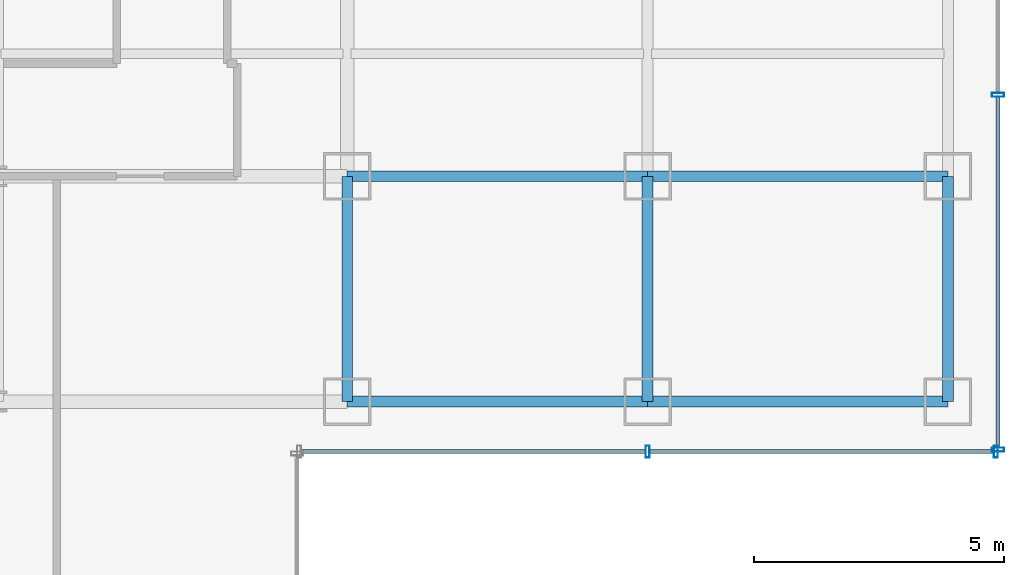
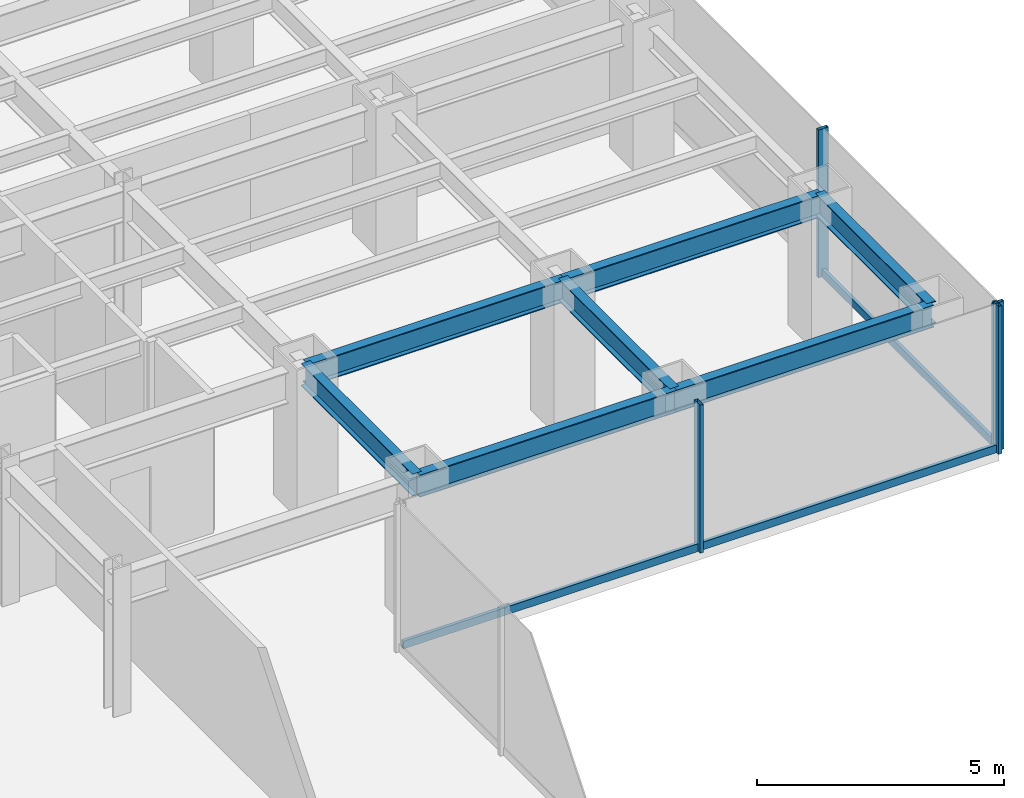
# One storey, part 7 of 22: 7 beams, 7 members, 2 elements without a shape of their own.
"""IFC4 building model written with IfcOpenShell, lengths in metres."""

from ifc_helpers import new_model, si_unit, derived_unit, direction, frame, origin, origin_2d, place, context, subcontext, project, spatial, hollow_rectangle, i_section, extrude, source, transform, mapped, material, material_profile, profile_set, type_object, element, aggregate, save


model = new_model("IFC4")

# Units and contexts
model_context = context("Model", 3, precision=1e-05, world=origin(), true_north=direction((0.0, 1.0)))
body_context = subcontext(model_context, "Body", "Model", "MODEL_VIEW")
ifc_project = project(units=[si_unit("LENGTHUNIT", "METRE"), si_unit("AREAUNIT", "SQUARE_METRE"), si_unit("VOLUMEUNIT", "CUBIC_METRE"), si_unit("PLANEANGLEUNIT", "RADIAN"), si_unit("MASSUNIT", "GRAM", prefix="KILO"), derived_unit("THERMALTRANSMITTANCEUNIT", [(si_unit("POWERUNIT", "WATT"), 1), (si_unit("LENGTHUNIT", "METRE"), -2), (si_unit("THERMODYNAMICTEMPERATUREUNIT", "KELVIN"), -1)])], contexts=[model_context])

# Site, building, storey
site_placement = place(None, origin())
site = spatial("IfcSite", under=ifc_project, at=site_placement, CompositionType="ELEMENT")
building_placement = place(site_placement, origin())
building = spatial("IfcBuilding", under=site, at=building_placement, Name="Skarnbrae Concourse Arena and Tower", CompositionType="ELEMENT")
storey_placement = place(building_placement, frame((0.0, 0.0, 58.050048828125)))
storey = spatial("IfcBuildingStorey", under=building, at=storey_placement, Name="L13", CompositionType="ELEMENT", Elevation=58.050048828125)

# Beams
ifc_material_1 = material(Name="Steel CSA G40.21 350W", Category="steel")
ifc_material_profile_1 = material_profile(ifc_material_1, i_section(OverallWidth=0.214111328125, OverallDepth=0.549072265625, WebThickness=0.0146484375, FlangeThickness=0.023681640625, at=origin_2d()), Name="W530X138")
ifc_profile_set_1 = profile_set([ifc_material_profile_1], Name="Steel CSA G40.21 350W")
beam_type = type_object("IfcBeamType", Name="BM-SPAN-W530X138", PredefinedType="SPANDREL", material=ifc_profile_set_1)
shared_shape_1 = source(origin(), body_context, "Body", "SweptSolid", [
    extrude(i_section(OverallWidth=0.214111328125, OverallDepth=0.549072265625, WebThickness=0.0146484375, FlangeThickness=0.023681640625, at=origin_2d()), origin(), (0.0, 0.0, 1.0), 6.0),
])
for number, where, z_axis, x_axis, name in (
    (1, (49.0, 9.5, 3.12548828125), (1.0, 0.0, 0.0), (0.0, 1.0, 0.0), "L13 Perimeter spandrel Y9.5-3"),
    (2, (55.0, 9.5, 3.12548828125), (1.0, 0.0, 0.0), (0.0, 1.0, 0.0), "L13 Perimeter spandrel Y9.5-4"),
    (3, (49.0, 14.0, 3.12548828125), (1.0, 0.0, 0.0), (0.0, 1.0, 0.0), "L13 Perimeter spandrel Y14.0-8"),
    (4, (55.0, 14.0, 3.12548828125), (1.0, 0.0, 0.0), (0.0, 1.0, 0.0), "L13 Perimeter spandrel Y14.0-9"),
):
    element("IfcBeam", number, at=place(storey_placement, frame(where, z_axis=z_axis, x_axis=x_axis)), inside=storey, type_object=beam_type, Name=name, PredefinedType="SPANDREL", context=body_context, shape_type="MappedRepresentation", body=[
        mapped(shared_shape_1, transform((0.0, 0.0, 0.0))),
    ])
shared_shape_2 = source(origin(), body_context, "Body", "SweptSolid", [
    extrude(i_section(OverallWidth=0.214111328125, OverallDepth=0.549072265625, WebThickness=0.0146484375, FlangeThickness=0.023681640625, at=origin_2d()), origin(), (0.0, 0.0, 1.0), 4.5),
])
for number, where, z_axis, x_axis, name in (
    (5, (49.0, 9.5, 3.12548828125), (0.0, 1.0, 0.0), (-1.0, 0.0, 0.0), "L13 Perimeter spandrel X49.0-1"),
    (6, (55.0, 9.5, 3.12548828125), (0.0, 1.0, 0.0), (-1.0, 0.0, 0.0), "L13 Perimeter spandrel X55.0-1"),
    (7, (61.0, 9.5, 3.12548828125), (0.0, 1.0, 0.0), (-1.0, 0.0, 0.0), "L13 Perimeter spandrel X61.0-1"),
):
    element("IfcBeam", number, at=place(storey_placement, frame(where, z_axis=z_axis, x_axis=x_axis)), inside=storey, type_object=beam_type, Name=name, PredefinedType="SPANDREL", context=body_context, shape_type="MappedRepresentation", body=[
        mapped(shared_shape_2, transform((0.0, 0.0, 0.0))),
    ])

# Curtain wall, members
ifc_material_2 = material(Name="Bronze anodised aluminium 6063-T6", Category="aluminium")
curtain_wall_type = type_object("IfcCurtainWallType", Name="CW-SYS-02-LOWZONE", PredefinedType="USERDEFINED", material=ifc_material_2)
curtain_wall_1_placement = place(storey_placement, origin())
curtain_wall_1 = element("IfcCurtainWall", 8, at=curtain_wall_1_placement, inside=storey, type_object=curtain_wall_type, Name="L13 Unitised curtain wall CW-L13-E03", ObjectType="UNITISED CURTAIN WALL", PredefinedType="USERDEFINED")
ifc_material_profile_2 = material_profile(ifc_material_2, hollow_rectangle(XDim=0.080078125, YDim=0.239990234375, WallThickness=0.0048828125, at=origin_2d()), Name="ALU-MULL-80X240")
ifc_profile_set_2 = profile_set([ifc_material_profile_2], Name="Bronze anodised aluminium 6063-T6")
member_type_1 = type_object("IfcMemberType", Name="CWM-CW-02", PredefinedType="MULLION", material=ifc_profile_set_2)
shared_shape_3 = source(origin(), body_context, "Body", "SweptSolid", [
    extrude(hollow_rectangle(XDim=0.080078125, YDim=0.239990234375, WallThickness=0.0048828125, at=origin_2d()), origin(), (0.0, 0.0, 1.0), 3.64990234375),
])
member_1_placement = place(storey_placement, frame((55.0, 8.5, 0.0), z_axis=(0.0, 0.0, 1.0), x_axis=(1.0, 0.0, 0.0)))
member_1 = element("IfcMember", 9, at=member_1_placement, type_object=member_type_1, Name="CW-L13-E03 Mullion 2", PredefinedType="MULLION", context=body_context, shape_type="MappedRepresentation", body=[
    mapped(shared_shape_3, transform((0.0, 0.0, 0.0))),
])
member_2_placement = place(storey_placement, frame((61.9599609375, 8.5, 0.0), z_axis=(0.0, 0.0, 1.0), x_axis=(1.0, 0.0, 0.0)))
member_2 = element("IfcMember", 10, at=member_2_placement, type_object=member_type_1, Name="CW-L13-E03 Mullion 3", PredefinedType="MULLION", context=body_context, shape_type="MappedRepresentation", body=[
    mapped(shared_shape_3, transform((0.0, 0.0, 0.0))),
])

curtain_wall_2_placement = place(storey_placement, origin())
curtain_wall_2 = element("IfcCurtainWall", 11, at=curtain_wall_2_placement, inside=storey, type_object=curtain_wall_type, Name="L13 Unitised curtain wall CW-L13-E04", ObjectType="UNITISED CURTAIN WALL", PredefinedType="USERDEFINED")
member_3_placement = place(storey_placement, frame((62.0, 8.5400390625, 0.0), z_axis=(0.0, 0.0, 1.0), x_axis=(0.0, 1.0, 0.0)))
member_3 = element("IfcMember", 12, at=member_3_placement, type_object=member_type_1, Name="CW-L13-E04 Mullion 1", PredefinedType="MULLION", context=body_context, shape_type="MappedRepresentation", body=[
    mapped(shared_shape_3, transform((0.0, 0.0, 0.0))),
])
member_4_placement = place(storey_placement, frame((62.0, 15.625, 0.0), z_axis=(0.0, 0.0, 1.0), x_axis=(0.0, 1.0, 0.0)))
member_4 = element("IfcMember", 13, at=member_4_placement, type_object=member_type_1, Name="CW-L13-E04 Mullion 2", PredefinedType="MULLION", context=body_context, shape_type="MappedRepresentation", body=[
    mapped(shared_shape_3, transform((0.0, 0.0, 0.0))),
])

# Member
ifc_material_profile_3 = material_profile(ifc_material_2, hollow_rectangle(XDim=0.080078125, YDim=0.18994140625, WallThickness=0.0048828125, at=origin_2d()), Name="ALU-TRAN-80X190")
ifc_profile_set_3 = profile_set([ifc_material_profile_3], Name="Bronze anodised aluminium 6063-T6")
member_type_2 = type_object("IfcMemberType", Name="CWT-CW-02", PredefinedType="USERDEFINED", material=ifc_profile_set_3)
shared_shape_4 = source(origin(), body_context, "Body", "SweptSolid", [
    extrude(hollow_rectangle(XDim=0.080078125, YDim=0.18994140625, WallThickness=0.0048828125, at=origin_2d()), origin(), (0.0, 0.0, 1.0), 6.8798828125),
])
member_5_placement = place(storey_placement, frame((48.080078125, 8.5, 0.094970703125), z_axis=(1.0, 0.0, 0.0), x_axis=(0.0, 1.0, 0.0)))
member_5 = element("IfcMember", 14, at=member_5_placement, type_object=member_type_2, Name="CW-L13-E03 Transom 1", ObjectType="TRANSOM", PredefinedType="USERDEFINED", context=body_context, shape_type="MappedRepresentation", body=[
    mapped(shared_shape_4, transform((0.0, 0.0, 0.0))),
])

member_6_placement = place(storey_placement, frame((55.0400390625, 8.5, 0.094970703125), z_axis=(1.0, 0.0, 0.0), x_axis=(0.0, 1.0, 0.0)))
member_6 = element("IfcMember", 15, at=member_6_placement, type_object=member_type_2, Name="CW-L13-E03 Transom 2", ObjectType="TRANSOM", PredefinedType="USERDEFINED", context=body_context, shape_type="MappedRepresentation", body=[
    mapped(shared_shape_4, transform((0.0, 0.0, 0.0))),
])

aggregate(curtain_wall_1, [member_1, member_2, member_5, member_6])

shared_shape_5 = source(origin(), body_context, "Body", "SweptSolid", [
    extrude(hollow_rectangle(XDim=0.080078125, YDim=0.18994140625, WallThickness=0.0048828125, at=origin_2d()), origin(), (0.0, 0.0, 1.0), 7.0048828125),
])
member_7_placement = place(storey_placement, frame((62.0, 8.580078125, 0.094970703125), z_axis=(0.0, 1.0, 0.0), x_axis=(-1.0, 0.0, 0.0)))
member_7 = element("IfcMember", 16, at=member_7_placement, type_object=member_type_2, Name="CW-L13-E04 Transom 1", ObjectType="TRANSOM", PredefinedType="USERDEFINED", context=body_context, shape_type="MappedRepresentation", body=[
    mapped(shared_shape_5, transform((0.0, 0.0, 0.0))),
])

aggregate(curtain_wall_2, [member_3, member_4, member_7])

save(model, "model.ifc")
